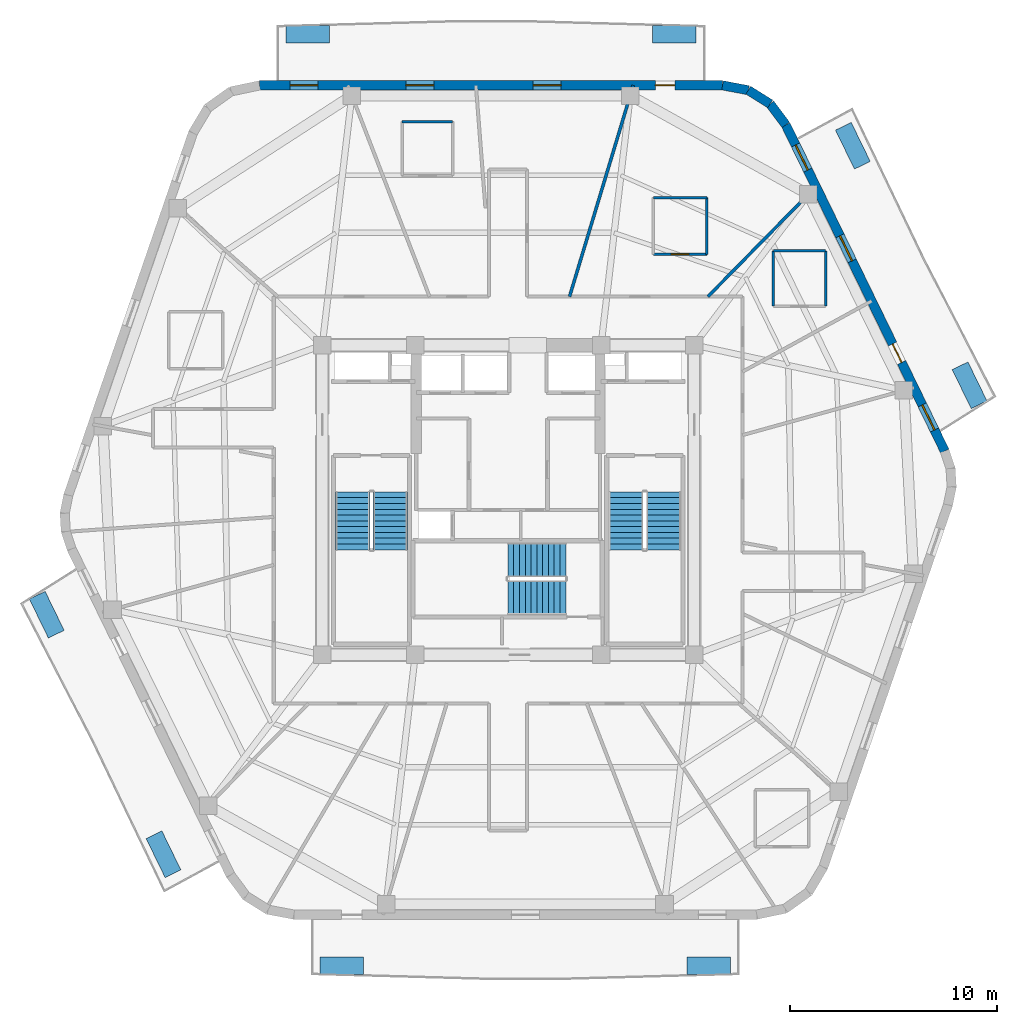
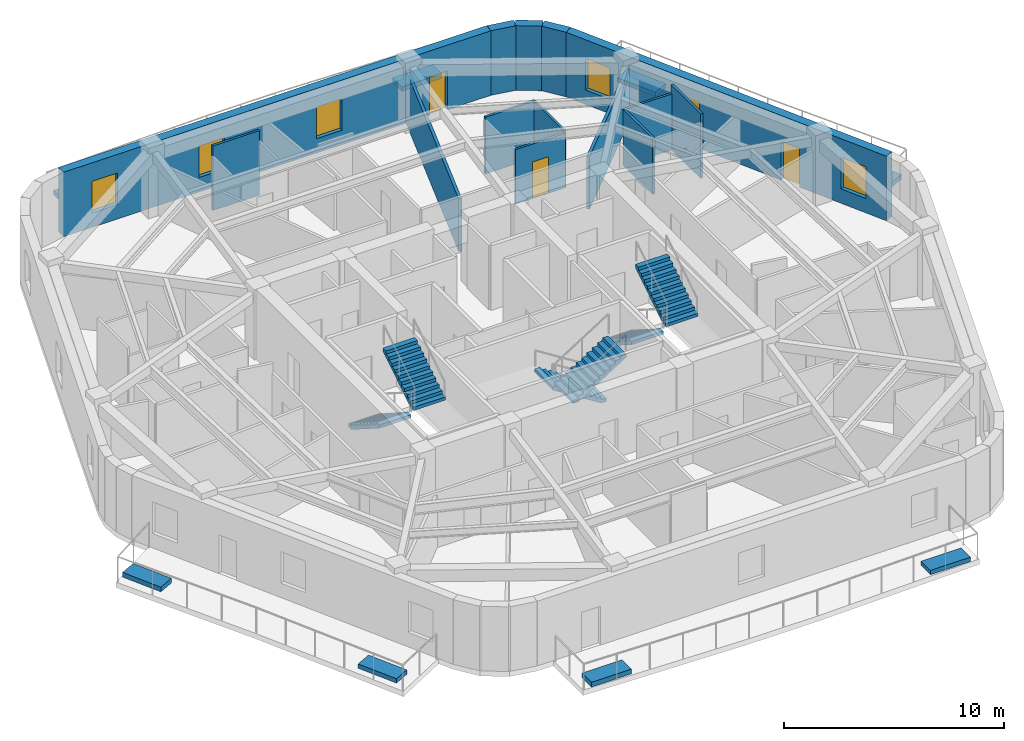
# One storey, part 6 of 9: 14 walls, 8 discrete accessories, 6 stair flights, 6 windows, 3 doors, 9 openings, 3 elements without a shape of their own.
"""IFC4 building model written with IfcOpenShell, lengths in metres."""

from ifc_helpers import new_model, si_unit, direction, frame, frame_2d, origin, origin_2d, place, context, subcontext, project, spatial, polyline, rectangle, outline, extrude, material, layer, layer_set, type_object, element, fill, aggregate, save


model = new_model("IFC4")

# Units and contexts
model_context = context("Model", 3, precision=1e-05, world=origin(), true_north=direction((0.0, 1.0)))
body_context = subcontext(model_context, "Body", "Model", "MODEL_VIEW")
ifc_project = project(units=[si_unit("LENGTHUNIT", "METRE"), si_unit("AREAUNIT", "SQUARE_METRE"), si_unit("VOLUMEUNIT", "CUBIC_METRE"), si_unit("PLANEANGLEUNIT", "RADIAN"), si_unit("MASSUNIT", "GRAM", prefix="KILO")], contexts=[model_context])

# Site, building, storey
site_placement = place(None, origin())
site = spatial("IfcSite", under=ifc_project, at=site_placement, CompositionType="ELEMENT")
building_placement = place(site_placement, origin())
building = spatial("IfcBuilding", under=site, at=building_placement, Name="Kilnhurst Terrace Hotel", CompositionType="ELEMENT")
storey_placement = place(building_placement, frame((0.0, 0.0, 284.699951171875)))
storey = spatial("IfcBuildingStorey", under=building, at=storey_placement, Name="L71", CompositionType="ELEMENT", Elevation=284.699951171875)

# Walls
ifc_material_1 = material(Name="Precast concrete C40/50", Category="concrete")
ifc_layer_1 = layer(ifc_material_1, 0.449951171875, Name="Precast concrete C40/50")
ifc_layer_set_1 = layer_set([ifc_layer_1], Name="Precast concrete C40/50")
wall_type_1 = type_object("IfcWallType", Name="WL-BRK-450", PredefinedType="SOLIDWALL", material=ifc_layer_set_1)
wall_1_placement = place(storey_placement, frame((13.44287109375, 18.159912109375, 0.0), z_axis=(0.0, 0.0, 1.0), x_axis=(-0.597042425808, 0.802209661987, 0.0)))
element("IfcWall", 1, at=wall_1_placement, inside=storey, type_object=wall_type_1, Name="L71 Rounded Corner Brick Wall C4.1", PredefinedType="SOLIDWALL", context=body_context, shape_type="SweptSolid", body=[
    extrude(rectangle(XDim=1.269775390625, YDim=0.449951171875, at=frame_2d((0.634765625, 0.0))), origin(), (0.0, 0.0, 1.0), 3.580078125),
])
wall_2_placement = place(storey_placement, frame((12.684814453125, 19.178466796875, 0.0), z_axis=(0.0, 0.0, 1.0), x_axis=(-0.848031272749, 0.529946186362, 0.0)))
element("IfcWall", 2, at=wall_2_placement, inside=storey, type_object=wall_type_1, Name="L71 Rounded Corner Brick Wall C4.2", PredefinedType="SOLIDWALL", context=body_context, shape_type="SweptSolid", body=[
    extrude(rectangle(XDim=1.248046875, YDim=0.449951171875, at=frame_2d((0.6240234375, 0.0))), origin(), (0.0, 0.0, 1.0), 3.580078125),
])
wall_3_placement = place(storey_placement, frame((11.62646484375, 19.83984375, 0.0), z_axis=(0.0, 0.0, 1.0), x_axis=(-0.982701956681, 0.185194126083, 0.0)))
element("IfcWall", 3, at=wall_3_placement, inside=storey, type_object=wall_type_1, Name="L71 Rounded Corner Brick Wall C4.3", PredefinedType="SOLIDWALL", context=body_context, shape_type="SweptSolid", body=[
    extrude(rectangle(XDim=1.26953125, YDim=0.449951171875, at=frame_2d((0.634765625, 0.0))), origin(), (0.0, 0.0, 1.0), 3.580078125),
])

# Wall, openings, door, windows
wall_4_placement = place(storey_placement, frame((21.138427734375, 2.370849609375, 0.0), z_axis=(0.0, 0.0, 1.0), x_axis=(-0.438128124058, 0.89891253574, 0.0)))
wall_4 = element("IfcWall", 4, at=wall_4_placement, inside=storey, type_object=wall_type_1, Name="L71 Exterior Brick Facade Wall F3", PredefinedType="SOLIDWALL", context=body_context, shape_type="SweptSolid", body=[
    extrude(rectangle(XDim=17.564697265625, YDim=0.449951171875, at=frame_2d((8.7822265625, 0.0))), origin(), (0.0, 0.0, 1.0), 3.580078125),
])
opening_1_placement = place(wall_4_placement, frame((4.76904296875, 0.0, 0.0)))
opening_1 = element("IfcOpeningElement", 5, at=opening_1_placement, cuts=wall_4, Name="Opening BD-1000", PredefinedType="OPENING", context=body_context, shape_type="SweptSolid", body=[
    extrude(rectangle(XDim=1.0, YDim=2.14990234375, at=frame_2d((0.5, 1.074951171875))), frame((0.0, 0.23486328125, 0.0), z_axis=(0.0, -1.0, 0.0), x_axis=(1.0, 0.0, 0.0)), (0.0, 0.0, 1.0), 0.469970703125),
])
opening_2_placement = place(wall_4_placement, frame((10.242919921875, 0.0, 0.800048828125)))
opening_2 = element("IfcOpeningElement", 6, at=opening_2_placement, cuts=wall_4, Name="Opening W-06", PredefinedType="OPENING", context=body_context, shape_type="SweptSolid", body=[
    extrude(rectangle(XDim=1.35009765625, YDim=1.75, at=frame_2d((0.675048828125, 0.875))), frame((0.0, 0.23486328125, 0.0), z_axis=(0.0, -1.0, 0.0), x_axis=(1.0, 0.0, 0.0)), (0.0, 0.0, 1.0), 0.469970703125),
])
opening_3_placement = place(wall_4_placement, frame((15.132080078125, 0.0, 0.800048828125)))
opening_3 = element("IfcOpeningElement", 7, at=opening_3_placement, cuts=wall_4, Name="Opening W-06", PredefinedType="OPENING", context=body_context, shape_type="SweptSolid", body=[
    extrude(rectangle(XDim=1.35009765625, YDim=1.75, at=frame_2d((0.675048828125, 0.875))), frame((0.0, 0.23486328125, 0.0), z_axis=(0.0, -1.0, 0.0), x_axis=(1.0, 0.0, 0.0)), (0.0, 0.0, 1.0), 0.469970703125),
])
opening_4_placement = place(wall_4_placement, frame((1.133056640625, 0.0, 0.800048828125)))
opening_4 = element("IfcOpeningElement", 8, at=opening_4_placement, cuts=wall_4, Name="Opening W-06", PredefinedType="OPENING", context=body_context, shape_type="SweptSolid", body=[
    extrude(rectangle(XDim=1.35009765625, YDim=1.75, at=frame_2d((0.675048828125, 0.875))), frame((0.0, 0.23486328125, 0.0), z_axis=(0.0, -1.0, 0.0), x_axis=(1.0, 0.0, 0.0)), (0.0, 0.0, 1.0), 0.469970703125),
])
ifc_material_2 = material(Name="Thermally Broken Bronze Aluminium Alloy 6063-T6 and Laminated Glass", Category="aluminium")
door_type_1 = type_object("IfcDoorType", Name="DR-EXT-BAL-1000", OperationType="NOTDEFINED", PredefinedType="DOOR", material=ifc_material_2)
door_1_placement = place(opening_1_placement, origin())
door_1 = element("IfcDoor", 9, at=door_1_placement, inside=storey, type_object=door_type_1, Name="L71 Planted Balcony Door BAL-L1A", OperationType="SINGLE_SWING_LEFT", OverallHeight=2.14990234375, OverallWidth=1.0, PredefinedType="DOOR", context=body_context, shape_type="SweptSolid", body=[
    extrude(rectangle(XDim=1.0, YDim=2.14990234375, at=frame_2d((0.5, 1.074951171875))), frame((0.0, 0.02490234375, 0.0), z_axis=(0.0, -1.0, 0.0), x_axis=(1.0, 0.0, 0.0)), (0.0, 0.0, 1.0), 0.050048828125),
])
fill(opening_1, door_1)
ifc_material_3 = material(Name="Thermally Broken Bronze Aluminium Alloy 6063-T6 and Low-E Glass", Category="aluminium")
window_type = type_object("IfcWindowType", Name="WIN-1350X1750", PartitioningType="SINGLE_PANEL", PredefinedType="WINDOW", material=ifc_material_3)
window_1_placement = place(opening_2_placement, origin())
window_1 = element("IfcWindow", 10, at=window_1_placement, inside=storey, type_object=window_type, Name="L71 Deep-Set Masonry Window F3.1", OverallHeight=1.75, OverallWidth=1.35009765625, PartitioningType="SINGLE_PANEL", PredefinedType="WINDOW", context=body_context, shape_type="SweptSolid", body=[
    extrude(rectangle(XDim=1.35009765625, YDim=1.75, at=frame_2d((0.675048828125, 0.875))), frame((0.0, 0.030029296875, 0.0), z_axis=(0.0, -1.0, 0.0), x_axis=(1.0, 0.0, 0.0)), (0.0, 0.0, 1.0), 0.06005859375),
])
fill(opening_2, window_1)
window_2_placement = place(opening_3_placement, origin())
window_2 = element("IfcWindow", 11, at=window_2_placement, inside=storey, type_object=window_type, Name="L71 Deep-Set Masonry Window F3.2", OverallHeight=1.75, OverallWidth=1.35009765625, PartitioningType="SINGLE_PANEL", PredefinedType="WINDOW", context=body_context, shape_type="SweptSolid", body=[
    extrude(rectangle(XDim=1.35009765625, YDim=1.75, at=frame_2d((0.675048828125, 0.875))), frame((0.0, 0.030029296875, 0.0), z_axis=(0.0, -1.0, 0.0), x_axis=(1.0, 0.0, 0.0)), (0.0, 0.0, 1.0), 0.06005859375),
])
fill(opening_3, window_2)
window_3_placement = place(opening_4_placement, origin())
window_3 = element("IfcWindow", 12, at=window_3_placement, inside=storey, type_object=window_type, Name="L71 Deep-Set Masonry Window F3.3", OverallHeight=1.75, OverallWidth=1.35009765625, PartitioningType="SINGLE_PANEL", PredefinedType="WINDOW", context=body_context, shape_type="SweptSolid", body=[
    extrude(rectangle(XDim=1.35009765625, YDim=1.75, at=frame_2d((0.675048828125, 0.875))), frame((0.0, 0.030029296875, 0.0), z_axis=(0.0, -1.0, 0.0), x_axis=(1.0, 0.0, 0.0)), (0.0, 0.0, 1.0), 0.06005859375),
])
fill(opening_4, window_3)

wall_5_placement = place(storey_placement, frame((10.37890625, 20.074951171875, 0.0), z_axis=(0.0, 0.0, 1.0), x_axis=(-1.0, 0.0, 0.0)))
wall_5 = element("IfcWall", 13, at=wall_5_placement, inside=storey, type_object=wall_type_1, Name="L71 Exterior Brick Facade Wall F4", PredefinedType="SOLIDWALL", context=body_context, shape_type="SweptSolid", body=[
    extrude(rectangle(XDim=22.417236328125, YDim=0.449951171875, at=frame_2d((11.20849609375, 0.0))), origin(), (0.0, 0.0, 1.0), 3.580078125),
])
opening_5_placement = place(wall_5_placement, frame((2.302001953125, 0.0, 0.0)))
opening_5 = element("IfcOpeningElement", 14, at=opening_5_placement, cuts=wall_5, Name="Opening BD-950", PredefinedType="OPENING", context=body_context, shape_type="SweptSolid", body=[
    extrude(rectangle(XDim=0.949951171875, YDim=2.14990234375, at=frame_2d((0.47509765625, 1.074951171875))), frame((0.0, 0.23486328125, 0.0), z_axis=(0.0, -1.0, 0.0), x_axis=(1.0, 0.0, 0.0)), (0.0, 0.0, 1.0), 0.469970703125),
])
opening_6_placement = place(wall_5_placement, frame((7.820068359375, 0.0, 0.800048828125)))
opening_6 = element("IfcOpeningElement", 15, at=opening_6_placement, cuts=wall_5, Name="Opening W-06", PredefinedType="OPENING", context=body_context, shape_type="SweptSolid", body=[
    extrude(rectangle(XDim=1.35009765625, YDim=1.75, at=frame_2d((0.675048828125, 0.875))), frame((0.0, 0.23486328125, 0.0), z_axis=(0.0, -1.0, 0.0), x_axis=(1.0, 0.0, 0.0)), (0.0, 0.0, 1.0), 0.469970703125),
])
opening_7_placement = place(wall_5_placement, frame((13.97802734375, 0.0, 0.800048828125)))
opening_7 = element("IfcOpeningElement", 16, at=opening_7_placement, cuts=wall_5, Name="Opening W-06", PredefinedType="OPENING", context=body_context, shape_type="SweptSolid", body=[
    extrude(rectangle(XDim=1.35009765625, YDim=1.75, at=frame_2d((0.675048828125, 0.875))), frame((0.0, 0.23486328125, 0.0), z_axis=(0.0, -1.0, 0.0), x_axis=(1.0, 0.0, 0.0)), (0.0, 0.0, 1.0), 0.469970703125),
])
opening_8_placement = place(wall_5_placement, frame((19.5869140625, 0.0, 0.800048828125)))
opening_8 = element("IfcOpeningElement", 17, at=opening_8_placement, cuts=wall_5, Name="Opening W-06", PredefinedType="OPENING", context=body_context, shape_type="SweptSolid", body=[
    extrude(rectangle(XDim=1.35009765625, YDim=1.75, at=frame_2d((0.675048828125, 0.875))), frame((0.0, 0.23486328125, 0.0), z_axis=(0.0, -1.0, 0.0), x_axis=(1.0, 0.0, 0.0)), (0.0, 0.0, 1.0), 0.469970703125),
])
door_type_2 = type_object("IfcDoorType", Name="DR-EXT-BAL-950", OperationType="NOTDEFINED", PredefinedType="DOOR", material=ifc_material_2)
door_2_placement = place(opening_5_placement, origin())
door_2 = element("IfcDoor", 18, at=door_2_placement, inside=storey, type_object=door_type_2, Name="L71 Planted Balcony Door BAL-L1B", OperationType="SINGLE_SWING_RIGHT", OverallHeight=2.14990234375, OverallWidth=0.949951171875, PredefinedType="DOOR", context=body_context, shape_type="SweptSolid", body=[
    extrude(rectangle(XDim=0.949951171875, YDim=2.14990234375, at=frame_2d((0.47509765625, 1.074951171875))), frame((0.0, 0.02490234375, 0.0), z_axis=(0.0, -1.0, 0.0), x_axis=(1.0, 0.0, 0.0)), (0.0, 0.0, 1.0), 0.050048828125),
])
fill(opening_5, door_2)
window_4_placement = place(opening_6_placement, origin())
window_4 = element("IfcWindow", 19, at=window_4_placement, inside=storey, type_object=window_type, Name="L71 Deep-Set Masonry Window F4.1", OverallHeight=1.75, OverallWidth=1.35009765625, PartitioningType="SINGLE_PANEL", PredefinedType="WINDOW", context=body_context, shape_type="SweptSolid", body=[
    extrude(rectangle(XDim=1.35009765625, YDim=1.75, at=frame_2d((0.675048828125, 0.875))), frame((0.0, 0.030029296875, 0.0), z_axis=(0.0, -1.0, 0.0), x_axis=(1.0, 0.0, 0.0)), (0.0, 0.0, 1.0), 0.06005859375),
])
fill(opening_6, window_4)
window_5_placement = place(opening_7_placement, origin())
window_5 = element("IfcWindow", 20, at=window_5_placement, inside=storey, type_object=window_type, Name="L71 Deep-Set Masonry Window F4.2", OverallHeight=1.75, OverallWidth=1.35009765625, PartitioningType="SINGLE_PANEL", PredefinedType="WINDOW", context=body_context, shape_type="SweptSolid", body=[
    extrude(rectangle(XDim=1.35009765625, YDim=1.75, at=frame_2d((0.675048828125, 0.875))), frame((0.0, 0.030029296875, 0.0), z_axis=(0.0, -1.0, 0.0), x_axis=(1.0, 0.0, 0.0)), (0.0, 0.0, 1.0), 0.06005859375),
])
fill(opening_7, window_5)
window_6_placement = place(opening_8_placement, origin())
window_6 = element("IfcWindow", 21, at=window_6_placement, inside=storey, type_object=window_type, Name="L71 Deep-Set Masonry Window F4.3", OverallHeight=1.75, OverallWidth=1.35009765625, PartitioningType="SINGLE_PANEL", PredefinedType="WINDOW", context=body_context, shape_type="SweptSolid", body=[
    extrude(rectangle(XDim=1.35009765625, YDim=1.75, at=frame_2d((0.675048828125, 0.875))), frame((0.0, 0.030029296875, 0.0), z_axis=(0.0, -1.0, 0.0), x_axis=(1.0, 0.0, 0.0)), (0.0, 0.0, 1.0), 0.06005859375),
])
fill(opening_8, window_6)

# Walls
ifc_material_4 = material(Name="STC-58 Acoustic Twin-Frame Guestroom Demising Partition")
ifc_layer_2 = layer(ifc_material_4, 0.14990234375, Name="STC-58 Acoustic Twin-Frame Guestroom Demising Partition")
ifc_layer_set_2 = layer_set([ifc_layer_2], Name="STC-58 Acoustic Twin-Frame Guestroom Demising Partition")
wall_type_2 = type_object("IfcWallType", Name="WL-DEM-150", PredefinedType="PARTITIONING", material=ifc_layer_set_2)
wall_6_placement = place(storey_placement, frame((9.67236328125, 9.85009765625, 0.0), z_axis=(0.0, 0.0, 1.0), x_axis=(0.700629771301, 0.713524998558, 0.0)))
element("IfcWall", 22, at=wall_6_placement, inside=storey, type_object=wall_type_2, Name="L71 Interior Wall WL-L71-DEM-COL02-03-1", PredefinedType="PARTITIONING", context=body_context, shape_type="SweptSolid", body=[
    extrude(rectangle(XDim=7.45947265625, YDim=0.14990234375, at=frame_2d((3.729736328125, 0.0))), origin(), (0.0, 0.0, 1.0), 2.920166015625),
])
wall_7_placement = place(storey_placement, frame((2.97216796875, 9.85009765625, 0.0), z_axis=(0.0, 0.0, 1.0), x_axis=(0.288872169679, 0.957367677324, 0.0)))
element("IfcWall", 23, at=wall_7_placement, inside=storey, type_object=wall_type_2, Name="L71 Interior Wall WL-L71-DEM-COL03-04-1", PredefinedType="PARTITIONING", context=body_context, shape_type="SweptSolid", body=[
    extrude(rectangle(XDim=10.68017578125, YDim=0.14990234375, at=frame_2d((5.340087890625, 0.0))), origin(), (0.0, 0.0, 1.0), 2.920166015625),
])
ifc_material_5 = material(Name="120 mm Moisture-Resistant Tile-Backed Bathroom Partition")
ifc_layer_3 = layer(ifc_material_5, 0.1201171875, Name="120 mm Moisture-Resistant Tile-Backed Bathroom Partition")
ifc_layer_set_3 = layer_set([ifc_layer_3], Name="120 mm Moisture-Resistant Tile-Backed Bathroom Partition")
wall_type_3 = type_object("IfcWallType", Name="WL-PART-120", PredefinedType="PARTITIONING", material=ifc_layer_set_3)
wall_8_placement = place(storey_placement, frame((15.365966796875, 9.382080078125, 0.0), z_axis=(0.0, 0.0, 1.0), x_axis=(0.0, 1.0, 0.0)))
element("IfcWall", 24, at=wall_8_placement, inside=storey, type_object=wall_type_3, Name="L71 Interior Wall WL-L71-BTH-02-2", PredefinedType="PARTITIONING", context=body_context, shape_type="SweptSolid", body=[
    extrude(rectangle(XDim=2.679931640625, YDim=0.1201171875, at=frame_2d((1.33984375, 0.0))), origin(), (0.0, 0.0, 1.0), 3.580078125),
])
wall_9_placement = place(storey_placement, frame((15.365966796875, 12.06201171875, 0.0), z_axis=(0.0, 0.0, 1.0), x_axis=(-1.0, 0.0, 0.0)))
element("IfcWall", 25, at=wall_9_placement, inside=storey, type_object=wall_type_3, Name="L71 Interior Wall WL-L71-BTH-02-3", PredefinedType="PARTITIONING", context=body_context, shape_type="SweptSolid", body=[
    extrude(rectangle(XDim=2.52001953125, YDim=0.1201171875, at=frame_2d((1.260009765625, 0.0))), origin(), (0.0, 0.0, 1.0), 3.1064453125),
])
wall_10_placement = place(storey_placement, frame((12.845947265625, 12.06201171875, 0.0), z_axis=(0.0, 0.0, 1.0), x_axis=(0.0, -1.0, 0.0)))
element("IfcWall", 26, at=wall_10_placement, inside=storey, type_object=wall_type_3, Name="L71 Interior Wall WL-L71-BTH-02-4", PredefinedType="PARTITIONING", context=body_context, shape_type="SweptSolid", body=[
    extrude(rectangle(XDim=2.679931640625, YDim=0.1201171875, at=frame_2d((1.33984375, 0.0))), origin(), (0.0, 0.0, 1.0), 3.1064453125),
])

# Wall, opening, door
wall_11_placement = place(storey_placement, frame((7.02587890625, 11.889892578125, 0.0), z_axis=(0.0, 0.0, 1.0), x_axis=(1.0, 0.0, 0.0)))
wall_11 = element("IfcWall", 27, at=wall_11_placement, inside=storey, type_object=wall_type_3, Name="L71 Interior Wall WL-L71-BTH-03-1", PredefinedType="PARTITIONING", context=body_context, shape_type="SweptSolid", body=[
    extrude(rectangle(XDim=2.60009765625, YDim=0.1201171875, at=frame_2d((1.300048828125, 0.0))), origin(), (0.0, 0.0, 1.0), 3.0205078125),
])
opening_9_placement = place(wall_11_placement, frame((0.875, 0.0, 0.0)))
opening_9 = element("IfcOpeningElement", 28, at=opening_9_placement, cuts=wall_11, Name="Opening D-08A", PredefinedType="OPENING", context=body_context, shape_type="SweptSolid", body=[
    extrude(rectangle(XDim=0.85009765625, YDim=2.030029296875, at=frame_2d((0.425048828125, 1.01513671875))), frame((0.0, 0.070068359375, 0.0), z_axis=(0.0, -1.0, 0.0), x_axis=(1.0, 0.0, 0.0)), (0.0, 0.0, 1.0), 0.14013671875),
])
ifc_material_6 = material(Name="Moisture-Resistant Lacquered En-suite Bathroom Door")
door_type_3 = type_object("IfcDoorType", Name="DR-INT-850", OperationType="NOTDEFINED", PredefinedType="DOOR", material=ifc_material_6)
door_3_placement = place(opening_9_placement, origin())
door_3 = element("IfcDoor", 29, at=door_3_placement, inside=storey, type_object=door_type_3, Name="L71 En-suite Bathroom Door 3", OperationType="SINGLE_SWING_RIGHT", OverallHeight=2.030029296875, OverallWidth=0.85009765625, PredefinedType="DOOR", context=body_context, shape_type="SweptSolid", body=[
    extrude(rectangle(XDim=0.85009765625, YDim=2.030029296875, at=frame_2d((0.425048828125, 1.01513671875))), frame((0.0, 0.02490234375, 0.0), z_axis=(0.0, -1.0, 0.0), x_axis=(1.0, 0.0, 0.0)), (0.0, 0.0, 1.0), 0.050048828125),
])
fill(opening_9, door_3)

# Walls
wall_12_placement = place(storey_placement, frame((9.6259765625, 11.889892578125, 0.0), z_axis=(0.0, 0.0, 1.0), x_axis=(0.0, 1.0, 0.0)))
element("IfcWall", 30, at=wall_12_placement, inside=storey, type_object=wall_type_3, Name="L71 Interior Wall WL-L71-BTH-03-2", PredefinedType="PARTITIONING", context=body_context, shape_type="SweptSolid", body=[
    extrude(rectangle(XDim=2.75, YDim=0.1201171875, at=frame_2d((1.375, 0.0))), origin(), (0.0, 0.0, 1.0), 3.15234375),
])
wall_13_placement = place(storey_placement, frame((9.6259765625, 14.639892578125, 0.0), z_axis=(0.0, 0.0, 1.0), x_axis=(-1.0, 0.0, 0.0)))
element("IfcWall", 31, at=wall_13_placement, inside=storey, type_object=wall_type_3, Name="L71 Interior Wall WL-L71-BTH-03-3", PredefinedType="PARTITIONING", context=body_context, shape_type="SweptSolid", body=[
    extrude(rectangle(XDim=2.60009765625, YDim=0.1201171875, at=frame_2d((1.300048828125, 0.0))), origin(), (0.0, 0.0, 1.0), 3.15234375),
])
wall_14_placement = place(storey_placement, frame((-2.694091796875, 18.318115234375, 0.0), z_axis=(0.0, 0.0, 1.0), x_axis=(-1.0, 0.0, 0.0)))
element("IfcWall", 32, at=wall_14_placement, inside=storey, type_object=wall_type_3, Name="L71 Interior Wall WL-L71-BTH-05-3", PredefinedType="PARTITIONING", context=body_context, shape_type="SweptSolid", body=[
    extrude(rectangle(XDim=2.43994140625, YDim=0.1201171875, at=frame_2d((1.219970703125, 0.0))), origin(), (0.0, 0.0, 1.0), 3.580078125),
])

# Stair, stair flights
ifc_material_7 = material(Name="Concrete C50/60", Category="concrete")
stair_type = type_object("IfcStairType", Name="STR-CORE-1660", PredefinedType="HALF_TURN_STAIR", material=ifc_material_7)
stair_1_placement = place(storey_placement, origin())
stair_1 = element("IfcStair", 33, at=stair_1_placement, inside=storey, type_object=stair_type, Name="L71 ST-1", PredefinedType="HALF_TURN_STAIR")
stair_flight_type = type_object("IfcStairFlightType", Name="FLT-RC-1660", PredefinedType="STRAIGHT", material=ifc_material_7)
stair_flight_1_placement = place(storey_placement, frame((-7.52001953125, 0.389892578125, 0.0), z_axis=(0.0, 0.0, 1.0), x_axis=(0.0, -1.0, 0.0)))
stair_flight_1 = element("IfcStairFlight", 34, at=stair_flight_1_placement, type_object=stair_flight_type, Name="ST-1 flight 1", NumberOfRisers=11, NumberOfTreads=10, PredefinedType="STRAIGHT", RiserHeight=0.177272727, TreadLength=0.28, context=body_context, shape_type="SweptSolid", body=[
    extrude(outline(polyline([(0.0, 0.0), (0.0, 0.17724609375), (0.280029296875, 0.17724609375), (0.280029296875, 0.3544921875), (0.56005859375, 0.3544921875), (0.56005859375, 0.53173828125), (0.840087890625, 0.53173828125), (0.840087890625, 0.708984375), (1.1201171875, 0.708984375), (1.1201171875, 0.886474609375), (1.39990234375, 0.886474609375), (1.39990234375, 1.063720703125), (1.679931640625, 1.063720703125), (1.679931640625, 1.240966796875), (1.9599609375, 1.240966796875), (1.9599609375, 1.418212890625), (2.239990234375, 1.418212890625), (2.239990234375, 1.595458984375), (2.52001953125, 1.595458984375), (2.52001953125, 1.772705078125), (2.800048828125, 1.772705078125), (2.800048828125, 1.949951171875), (2.800048828125, 1.59521484375), (0.2802734375, 0.0), (0.0, 0.0)])), frame((0.0, 0.830078125, 0.0), z_axis=(0.0, -1.0, 0.0), x_axis=(1.0, 0.0, 0.0)), (0.0, 0.0, 1.0), 1.659912109375),
])
stair_flight_2_placement = place(storey_placement, frame((-5.7099609375, -2.409912109375, 1.949951171875), z_axis=(0.0, 0.0, 1.0), x_axis=(0.0, 1.0, 0.0)))
stair_flight_2 = element("IfcStairFlight", 35, at=stair_flight_2_placement, type_object=stair_flight_type, Name="ST-1 flight 2", NumberOfRisers=11, NumberOfTreads=10, PredefinedType="STRAIGHT", RiserHeight=0.177272727, TreadLength=0.28, context=body_context, shape_type="SweptSolid", body=[
    extrude(outline(polyline([(0.0, 0.0), (0.0, 0.17724609375), (0.280029296875, 0.17724609375), (0.280029296875, 0.3544921875), (0.56005859375, 0.3544921875), (0.56005859375, 0.53173828125), (0.840087890625, 0.53173828125), (0.840087890625, 0.708984375), (1.1201171875, 0.708984375), (1.1201171875, 0.886474609375), (1.39990234375, 0.886474609375), (1.39990234375, 1.063720703125), (1.679931640625, 1.063720703125), (1.679931640625, 1.240966796875), (1.9599609375, 1.240966796875), (1.9599609375, 1.418212890625), (2.239990234375, 1.418212890625), (2.239990234375, 1.595458984375), (2.52001953125, 1.595458984375), (2.52001953125, 1.772705078125), (2.800048828125, 1.772705078125), (2.800048828125, 1.949951171875), (2.800048828125, 1.59521484375), (0.2802734375, 0.0), (0.0, 0.0)])), frame((0.0, 0.830078125, 0.0), z_axis=(0.0, -1.0, 0.0), x_axis=(1.0, 0.0, 0.0)), (0.0, 0.0, 1.0), 1.659912109375),
])
aggregate(stair_1, [stair_flight_1, stair_flight_2])

stair_2_placement = place(storey_placement, origin())
stair_2 = element("IfcStair", 36, at=stair_2_placement, inside=storey, type_object=stair_type, Name="L71 ST-2", PredefinedType="HALF_TURN_STAIR")
stair_flight_3_placement = place(storey_placement, frame((5.7099609375, 0.389892578125, 0.0), z_axis=(0.0, 0.0, 1.0), x_axis=(0.0, -1.0, 0.0)))
stair_flight_3 = element("IfcStairFlight", 37, at=stair_flight_3_placement, type_object=stair_flight_type, Name="ST-2 flight 1", NumberOfRisers=11, NumberOfTreads=10, PredefinedType="STRAIGHT", RiserHeight=0.177272727, TreadLength=0.28, context=body_context, shape_type="SweptSolid", body=[
    extrude(outline(polyline([(0.0, 0.0), (0.0, 0.17724609375), (0.280029296875, 0.17724609375), (0.280029296875, 0.3544921875), (0.56005859375, 0.3544921875), (0.56005859375, 0.53173828125), (0.840087890625, 0.53173828125), (0.840087890625, 0.708984375), (1.1201171875, 0.708984375), (1.1201171875, 0.886474609375), (1.39990234375, 0.886474609375), (1.39990234375, 1.063720703125), (1.679931640625, 1.063720703125), (1.679931640625, 1.240966796875), (1.9599609375, 1.240966796875), (1.9599609375, 1.418212890625), (2.239990234375, 1.418212890625), (2.239990234375, 1.595458984375), (2.52001953125, 1.595458984375), (2.52001953125, 1.772705078125), (2.800048828125, 1.772705078125), (2.800048828125, 1.949951171875), (2.800048828125, 1.59521484375), (0.2802734375, 0.0), (0.0, 0.0)])), frame((0.0, 0.830078125, 0.0), z_axis=(0.0, -1.0, 0.0), x_axis=(1.0, 0.0, 0.0)), (0.0, 0.0, 1.0), 1.659912109375),
])
stair_flight_4_placement = place(storey_placement, frame((7.52001953125, -2.409912109375, 1.949951171875), z_axis=(0.0, 0.0, 1.0), x_axis=(0.0, 1.0, 0.0)))
stair_flight_4 = element("IfcStairFlight", 38, at=stair_flight_4_placement, type_object=stair_flight_type, Name="ST-2 flight 2", NumberOfRisers=11, NumberOfTreads=10, PredefinedType="STRAIGHT", RiserHeight=0.177272727, TreadLength=0.28, context=body_context, shape_type="SweptSolid", body=[
    extrude(outline(polyline([(0.0, 0.0), (0.0, 0.17724609375), (0.280029296875, 0.17724609375), (0.280029296875, 0.3544921875), (0.56005859375, 0.3544921875), (0.56005859375, 0.53173828125), (0.840087890625, 0.53173828125), (0.840087890625, 0.708984375), (1.1201171875, 0.708984375), (1.1201171875, 0.886474609375), (1.39990234375, 0.886474609375), (1.39990234375, 1.063720703125), (1.679931640625, 1.063720703125), (1.679931640625, 1.240966796875), (1.9599609375, 1.240966796875), (1.9599609375, 1.418212890625), (2.239990234375, 1.418212890625), (2.239990234375, 1.595458984375), (2.52001953125, 1.595458984375), (2.52001953125, 1.772705078125), (2.800048828125, 1.772705078125), (2.800048828125, 1.949951171875), (2.800048828125, 1.59521484375), (0.2802734375, 0.0), (0.0, 0.0)])), frame((0.0, 0.830078125, 0.0), z_axis=(0.0, -1.0, 0.0), x_axis=(1.0, 0.0, 0.0)), (0.0, 0.0, 1.0), 1.659912109375),
])
aggregate(stair_2, [stair_flight_3, stair_flight_4])

stair_3_placement = place(storey_placement, origin())
stair_3 = element("IfcStair", 39, at=stair_3_placement, inside=storey, type_object=stair_type, Name="L71 ST-3", PredefinedType="HALF_TURN_STAIR")
stair_flight_5_placement = place(storey_placement, frame((2.7900390625, -2.909912109375, 0.0), z_axis=(0.0, 0.0, 1.0), x_axis=(-1.0, 0.0, 0.0)))
stair_flight_5 = element("IfcStairFlight", 40, at=stair_flight_5_placement, type_object=stair_flight_type, Name="ST-3 flight 1", NumberOfRisers=11, NumberOfTreads=10, PredefinedType="STRAIGHT", RiserHeight=0.177272727, TreadLength=0.28, context=body_context, shape_type="SweptSolid", body=[
    extrude(outline(polyline([(0.0, 0.0), (0.0, 0.17724609375), (0.280029296875, 0.17724609375), (0.280029296875, 0.3544921875), (0.56005859375, 0.3544921875), (0.56005859375, 0.53173828125), (0.840087890625, 0.53173828125), (0.840087890625, 0.708984375), (1.1201171875, 0.708984375), (1.1201171875, 0.886474609375), (1.39990234375, 0.886474609375), (1.39990234375, 1.063720703125), (1.679931640625, 1.063720703125), (1.679931640625, 1.240966796875), (1.9599609375, 1.240966796875), (1.9599609375, 1.418212890625), (2.239990234375, 1.418212890625), (2.239990234375, 1.595458984375), (2.52001953125, 1.595458984375), (2.52001953125, 1.772705078125), (2.800048828125, 1.772705078125), (2.800048828125, 1.949951171875), (2.800048828125, 1.59521484375), (0.2802734375, 0.0), (0.0, 0.0)])), frame((0.0, 0.830078125, 0.0), z_axis=(0.0, -1.0, 0.0), x_axis=(1.0, 0.0, 0.0)), (0.0, 0.0, 1.0), 1.659912109375),
])
stair_flight_6_placement = place(storey_placement, frame((-0.010009765625, -4.719970703125, 1.949951171875), z_axis=(0.0, 0.0, 1.0), x_axis=(1.0, 0.0, 0.0)))
stair_flight_6 = element("IfcStairFlight", 41, at=stair_flight_6_placement, type_object=stair_flight_type, Name="ST-3 flight 2", NumberOfRisers=11, NumberOfTreads=10, PredefinedType="STRAIGHT", RiserHeight=0.177272727, TreadLength=0.28, context=body_context, shape_type="SweptSolid", body=[
    extrude(outline(polyline([(0.0, 0.0), (0.0, 0.17724609375), (0.280029296875, 0.17724609375), (0.280029296875, 0.3544921875), (0.56005859375, 0.3544921875), (0.56005859375, 0.53173828125), (0.840087890625, 0.53173828125), (0.840087890625, 0.708984375), (1.1201171875, 0.708984375), (1.1201171875, 0.886474609375), (1.39990234375, 0.886474609375), (1.39990234375, 1.063720703125), (1.679931640625, 1.063720703125), (1.679931640625, 1.240966796875), (1.9599609375, 1.240966796875), (1.9599609375, 1.418212890625), (2.239990234375, 1.418212890625), (2.239990234375, 1.595458984375), (2.52001953125, 1.595458984375), (2.52001953125, 1.772705078125), (2.800048828125, 1.772705078125), (2.800048828125, 1.949951171875), (2.800048828125, 1.59521484375), (0.2802734375, 0.0), (0.0, 0.0)])), frame((0.0, 0.830078125, 0.0), z_axis=(0.0, -1.0, 0.0), x_axis=(1.0, 0.0, 0.0)), (0.0, 0.0, 1.0), 1.659912109375),
])
aggregate(stair_3, [stair_flight_5, stair_flight_6])

# Discrete accessories
ifc_material_8 = material(Name="Precast Concrete C40/50 Shrub Planter", Category="concrete")
discrete_accessory_type_1 = type_object("IfcDiscreteAccessoryType", Name="PLN-SHRUB-240", PredefinedType="USERDEFINED", material=ifc_material_8)
for number, where, z_axis, x_axis, name in (
    (42, (16.68798828125, 17.150634765625, 0.0), (0.0, 0.0, 1.0), (-0.438135828038, 0.898908780795, 0.0), "L71 Structural Tree Planter Box PLANTER BAL-L1A.2"),
    (43, (-9.711669921875, 22.550048828125, 0.0), (0.0, 0.0, 1.0), (-1.0, 0.0, 0.0), "L71 Structural Tree Planter Box PLANTER BAL-L1B.2"),
    (44, (-16.68798828125, -17.150634765625, 0.0), (0.0, 0.0, 1.0), (0.438135828038, -0.898908780795, 0.0), "L71 Structural Tree Planter Box PLANTER BAL-L2A.2"),
    (45, (9.711669921875, -22.550048828125, 0.0), (0.0, 0.0, 1.0), (1.0, 0.0, 0.0), "L71 Structural Tree Planter Box PLANTER BAL-L2B.2"),
):
    element("IfcDiscreteAccessory", number, at=place(storey_placement, frame(where, z_axis=z_axis, x_axis=x_axis)), inside=storey, type_object=discrete_accessory_type_1, Name=name, ObjectType="PLANTER", PredefinedType="USERDEFINED", context=body_context, shape_type="SweptSolid", body=[
        extrude(rectangle(XDim=2.10009765625, YDim=0.85009765625, at=origin_2d()), origin(), (0.0, 0.0, 1.0), 0.239990234375),
    ])
ifc_material_9 = material(Name="Precast Concrete C40/50 Tree Planter", Category="concrete")
discrete_accessory_type_2 = type_object("IfcDiscreteAccessoryType", Name="PLN-TREE-260", PredefinedType="USERDEFINED", material=ifc_material_9)
for number, where, z_axis, x_axis, name in (
    (46, (22.340087890625, 5.55419921875, 0.0), (0.0, 0.0, 1.0), (-0.438135828038, 0.898908780795, 0.0), "L71 Structural Tree Planter Box PLANTER BAL-L1A.1"),
    (47, (8.0498046875, 22.550048828125, 0.0), (0.0, 0.0, 1.0), (-1.0, 0.0, 0.0), "L71 Structural Tree Planter Box PLANTER BAL-L1B.1"),
    (48, (-22.340087890625, -5.55419921875, 0.0), (0.0, 0.0, 1.0), (0.438135828038, -0.898908780795, 0.0), "L71 Structural Tree Planter Box PLANTER BAL-L2A.1"),
    (49, (-8.0498046875, -22.550048828125, 0.0), (0.0, 0.0, 1.0), (1.0, 0.0, 0.0), "L71 Structural Tree Planter Box PLANTER BAL-L2B.1"),
):
    element("IfcDiscreteAccessory", number, at=place(storey_placement, frame(where, z_axis=z_axis, x_axis=x_axis)), inside=storey, type_object=discrete_accessory_type_2, Name=name, ObjectType="PLANTER", PredefinedType="USERDEFINED", context=body_context, shape_type="SweptSolid", body=[
        extrude(rectangle(XDim=2.10009765625, YDim=0.85009765625, at=origin_2d()), origin(), (0.0, 0.0, 1.0), 0.260009765625),
    ])

save(model, "model.ifc")
